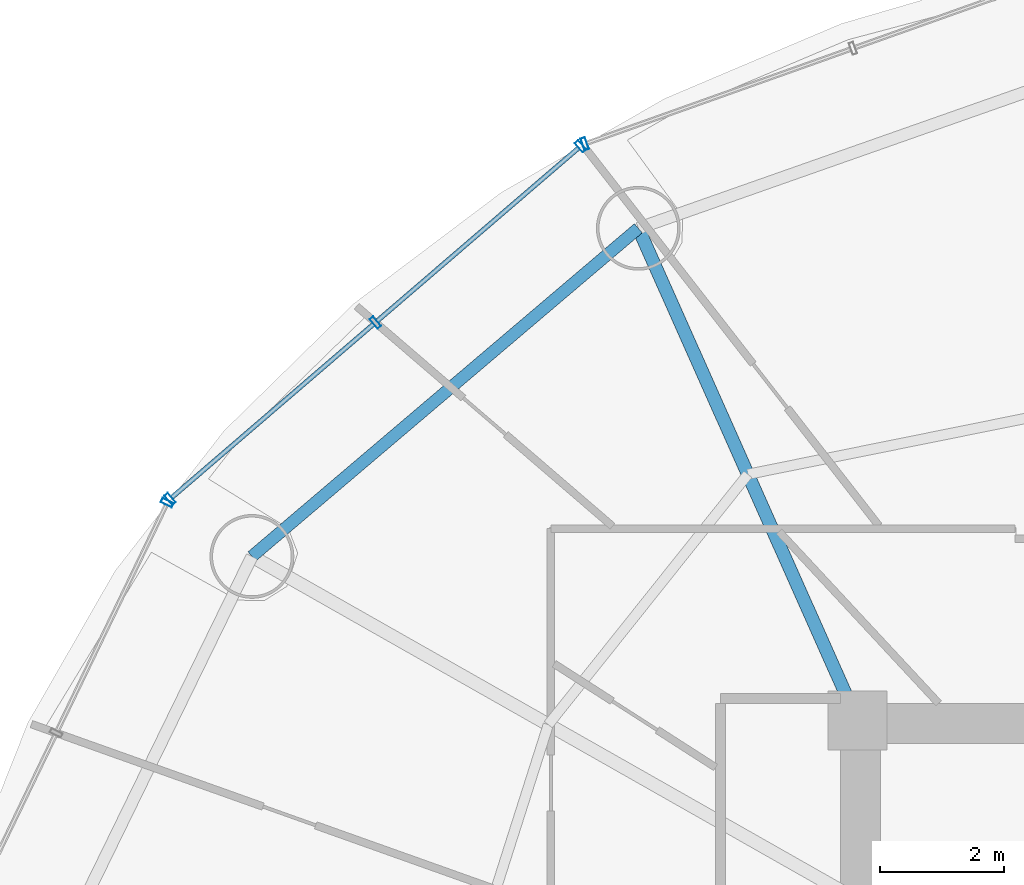
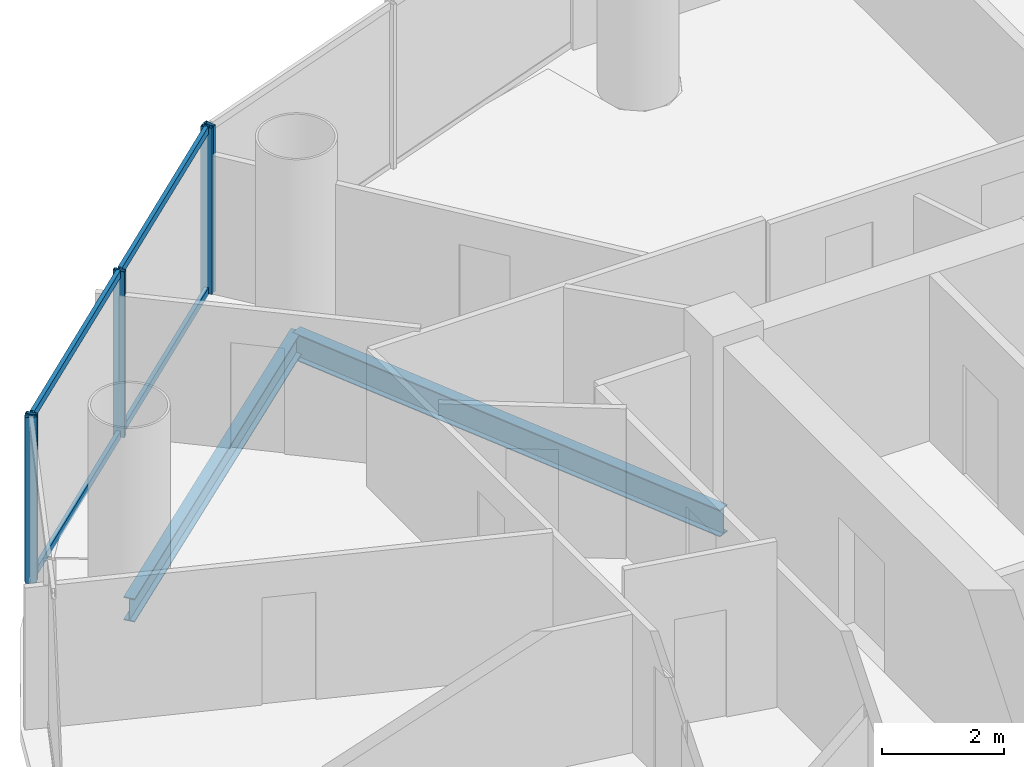
# One storey, part 14 of 27: 9 members, 2 beams, 3 elements without a shape of their own.
"""IFC4 building model written with IfcOpenShell, lengths in metres."""

import ifcopenshell
import ifcopenshell.guid

model = None  # the IFC model being written
_history = None  # IfcOwnerHistory: only IFC2X3 demands one
_inside = {}  # id of a spatial element -> (the spatial element, [elements in it])
_under = {}  # id of a project, library or spatial element -> (it, [spatial elements below it])
_declared = {}  # id of a project -> (the project, [libraries it declares])
_typed = {}  # id of a type object -> (the type object, [elements of that type])
_made_of = {}  # id of a material, layer set ... -> (it, [elements and type objects made of it])


def new_model(schema):
    """Start an empty IFC model of exactly this schema.

    Asked for "IFC4X3", IfcOpenShell would pick the latest addendum, in which some entities
    have other attributes; the version numbers below select the first issue.
    IFC2X3 requires an IfcOwnerHistory on every rooted entity: one is made here for all.
    """
    global model, _history
    if schema == "IFC4X3":
        model = ifcopenshell.file(schema_version=(4, 3, 0, 0))
    else:
        model = ifcopenshell.file(schema=schema)
    _inside.clear()
    _under.clear()
    _declared.clear()
    _typed.clear()
    _made_of.clear()
    _history = None
    if model.schema == "IFC2X3":
        org = make("IfcOrganization", Name="unknown")
        user = make(
            "IfcPersonAndOrganization",
            ThePerson=make("IfcPerson", FamilyName="unknown"),
            TheOrganization=org,
        )
        app = make(
            "IfcApplication",
            ApplicationDeveloper=org,
            Version="unknown",
            ApplicationFullName="unknown",
            ApplicationIdentifier="unknown",
        )
        _history = make(
            "IfcOwnerHistory",
            OwningUser=user,
            OwningApplication=app,
            ChangeAction="ADDED",
            CreationDate=0,
        )
    return model


def make(cls, **values):
    """One entity of the class cls with the attributes given. An attribute that is None is left unset."""
    return model.create_entity(
        cls, **{name: value for name, value in values.items() if value is not None}
    )


def rooted(cls, **values):
    """An entity with a GlobalId (a new one), such as an element, a storey or a relation."""
    return make(cls, GlobalId=ifcopenshell.guid.new(), OwnerHistory=_history, **values)


def si_unit(unit_type, name, prefix=None):
    """IfcSIUnit, for example si_unit("LENGTHUNIT", "METRE", prefix="MILLI")."""
    return make("IfcSIUnit", UnitType=unit_type, Prefix=prefix, Name=name)


def assignment(units):
    """IfcUnitAssignment: the units of a project."""
    return None if units is None else make("IfcUnitAssignment", Units=units)


def point(xyz):
    """IfcCartesianPoint."""
    return None if xyz is None else make("IfcCartesianPoint", Coordinates=xyz)


def direction(xyz):
    """IfcDirection."""
    return None if xyz is None else make("IfcDirection", DirectionRatios=xyz)


def frame(location, z_axis=None, x_axis=None):
    """IfcAxis2Placement3D, a coordinate frame: its origin and axes. An axis left out is left unset."""
    return make(
        "IfcAxis2Placement3D",
        Location=point(location),
        Axis=direction(z_axis),
        RefDirection=direction(x_axis),
    )


def frame_2d(location, x_axis=None):
    """IfcAxis2Placement2D, a coordinate frame in the plane: its origin and x axis."""
    return make(
        "IfcAxis2Placement2D", Location=point(location), RefDirection=direction(x_axis)
    )


def origin():
    """The frame at (0, 0, 0) with its axes left unset."""
    return frame((0.0, 0.0, 0.0))


def origin_2d():
    """The frame at (0, 0) in the plane with its x axis left unset."""
    return frame_2d((0.0, 0.0))


def place(relative_to, where):
    """IfcLocalPlacement: puts the frame where relative to a parent placement (None: the world)."""
    return make(
        "IfcLocalPlacement", PlacementRelTo=relative_to, RelativePlacement=where
    )


def context(
    kind, dimensions, precision=None, world=None, true_north=None, identifier=None
):
    """IfcGeometricRepresentationContext, for example the 3D "Model" context."""
    return make(
        "IfcGeometricRepresentationContext",
        ContextIdentifier=identifier,
        ContextType=kind,
        CoordinateSpaceDimension=dimensions,
        Precision=precision,
        WorldCoordinateSystem=world,
        TrueNorth=true_north,
    )


def subcontext(parent, identifier, kind, view, scale=None):
    """IfcGeometricRepresentationSubContext, for example "Body" below "Model"."""
    return make(
        "IfcGeometricRepresentationSubContext",
        ContextIdentifier=identifier,
        ContextType=kind,
        ParentContext=parent,
        TargetScale=scale,
        TargetView=view,
    )


def project(units=None, contexts=None):
    """IfcProject with its units and contexts."""
    return rooted(
        "IfcProject",
        Name="project",
        RepresentationContexts=contexts,
        UnitsInContext=assignment(units),
    )


def spatial(cls, under=None, at=None, **own):
    """A site, building, storey or space (cls), placed at a placement, below another one or the project."""
    s = rooted(cls, ObjectPlacement=at, **own)
    if under is not None:
        _under.setdefault(under.id(), (under, []))[1].append(s)
    return s


def profile(cls, at=None, kind="AREA", **sizes):
    """A parametric profile (cls). Its sizes go by their IFC names, for example OverallWidth=200.0."""
    return make(cls, ProfileType=kind, Position=at, **sizes)


def hollow_rectangle(**sizes):
    """IfcRectangleHollowProfileDef."""
    return profile("IfcRectangleHollowProfileDef", **sizes)


def i_section(**sizes):
    """IfcIShapeProfileDef."""
    return profile("IfcIShapeProfileDef", **sizes)


def extrude(swept, where, along, depth):
    """IfcExtrudedAreaSolid: the profile swept, set in the frame where, extruded along a direction by depth."""
    return make(
        "IfcExtrudedAreaSolid",
        SweptArea=swept,
        Position=where,
        ExtrudedDirection=direction(along),
        Depth=depth,
    )


def shape(context_of_items, identifier, shape_type, items):
    """IfcShapeRepresentation: the items that make up one representation, for example the "Body"."""
    return make(
        "IfcShapeRepresentation",
        ContextOfItems=context_of_items,
        RepresentationIdentifier=identifier,
        RepresentationType=shape_type,
        Items=items,
    )


def source(mapping_origin, context_of_items, identifier, shape_type, items):
    """IfcRepresentationMap: a shape defined once, which mapped items show again and again."""
    return make(
        "IfcRepresentationMap",
        MappingOrigin=mapping_origin,
        MappedRepresentation=shape(context_of_items, identifier, shape_type, items),
    )


def transform(
    local_origin,
    x_axis=None,
    y_axis=None,
    z_axis=None,
    scale=None,
    scale2=None,
    scale3=None,
    uniform=True,
):
    """IfcCartesianTransformationOperator3D, or its non-uniform kind. x_axis, y_axis, z_axis: its Axis1, 2, 3."""
    if uniform:
        return make(
            "IfcCartesianTransformationOperator3D",
            Axis1=direction(x_axis),
            Axis2=direction(y_axis),
            LocalOrigin=point(local_origin),
            Scale=scale,
            Axis3=direction(z_axis),
        )
    return make(
        "IfcCartesianTransformationOperator3DnonUniform",
        Axis1=direction(x_axis),
        Axis2=direction(y_axis),
        LocalOrigin=point(local_origin),
        Scale=scale,
        Axis3=direction(z_axis),
        Scale2=scale2,
        Scale3=scale3,
    )


def mapped(mapping_source, mapping_target):
    """IfcMappedItem: shows the shape of a source again, moved by a transform."""
    return make(
        "IfcMappedItem", MappingSource=mapping_source, MappingTarget=mapping_target
    )


def material(Name=None, Category=None):
    """IfcMaterial."""
    return make("IfcMaterial", Name=Name, Category=Category)


def material_profile(
    of_material, cross_section, Name=None, Category=None, Priority=None
):
    """IfcMaterialProfile: a cross section and its material."""
    return make(
        "IfcMaterialProfile",
        Name=Name,
        Material=of_material,
        Profile=cross_section,
        Priority=Priority,
        Category=Category,
    )


def profile_set(profiles, Name=None, composite=None):
    """IfcMaterialProfileSet."""
    return make(
        "IfcMaterialProfileSet",
        Name=Name,
        MaterialProfiles=profiles,
        CompositeProfile=composite,
    )


def made_of(thing, what):
    """Note that an element or type object is made of a material, layer set ...; save() writes the relation."""
    if what is not None:
        _made_of.setdefault(what.id(), (what, []))[1].append(thing)
    return thing


def type_object(cls, material=None, **own):
    """A type object (cls), such as IfcWallType, which elements share."""
    return made_of(rooted(cls, **own), material)


def element(
    cls,
    number,
    at=None,
    inside=None,
    cuts=None,
    type_object=None,
    material=None,
    context=None,
    identifier="Body",
    shape_type=None,
    held_by="IfcProductDefinitionShape",
    body=None,
    shapes=None,
    **own,
):
    """One element of the class cls, such as IfcWall. Its Tag is "e" and its number.

    at: its placement. inside: the storey or other place that contains it. cuts: it is an
    opening in that element (IfcRelVoidsElement). A single representation is given by context,
    identifier, shape_type and body (its items); several are given by shapes. held_by: the class
    of the entity that holds the representations. save() writes the other relations.
    """
    e = rooted(cls, Tag="e%d" % number, ObjectPlacement=at, **own)
    if body is not None:
        shapes = [shape(context, identifier, shape_type, body)]
    if shapes is not None:
        e.Representation = make(held_by, Representations=shapes)
    if inside is not None:
        _inside.setdefault(inside.id(), (inside, []))[1].append(e)
    if cuts is not None:
        rooted(
            "IfcRelVoidsElement", RelatingBuildingElement=cuts, RelatedOpeningElement=e
        )
    if type_object is not None:
        _typed.setdefault(type_object.id(), (type_object, []))[1].append(e)
    return made_of(e, material)


def aggregate(whole, parts):
    """IfcRelAggregates: a whole, such as a stair, and the parts it consists of."""
    return rooted("IfcRelAggregates", RelatingObject=whole, RelatedObjects=parts)


def save(model, path):
    """Write the relations noted so far, then the file.

    IfcRelAggregates (storeys below a building ...), IfcRelContainedInSpatialStructure (elements
    in a storey), IfcRelDefinesByType, IfcRelAssociatesMaterial and IfcRelDeclares: one each for
    every whole, place, type object, material and project.
    """
    for whole, parts in _under.values():
        aggregate(whole, parts)
    for where, things in _inside.values():
        rooted(
            "IfcRelContainedInSpatialStructure",
            RelatedElements=things,
            RelatingStructure=where,
        )
    for kind, things in _typed.values():
        rooted("IfcRelDefinesByType", RelatedObjects=things, RelatingType=kind)
    for what, things in _made_of.values():
        rooted("IfcRelAssociatesMaterial", RelatedObjects=things, RelatingMaterial=what)
    for by, libraries in _declared.values():
        rooted("IfcRelDeclares", RelatingContext=by, RelatedDefinitions=libraries)
    model.write(path)


model = new_model("IFC4")

# Units and contexts
model_context = context("Model", 3, precision=1e-05, world=origin(), true_north=direction((-0.2419218956, 0.970295726276)))
body_context = subcontext(model_context, "Body", "Model", "MODEL_VIEW")
ifc_project = project(units=[si_unit("LENGTHUNIT", "METRE"), si_unit("AREAUNIT", "SQUARE_METRE"), si_unit("VOLUMEUNIT", "CUBIC_METRE"), si_unit("PLANEANGLEUNIT", "RADIAN"), si_unit("MASSUNIT", "GRAM", prefix="KILO")], contexts=[model_context])

# Site, building, storey
site_placement = place(None, origin())
site = spatial("IfcSite", under=ifc_project, at=site_placement, CompositionType="ELEMENT")
building_placement = place(site_placement, origin())
building = spatial("IfcBuilding", under=site, at=building_placement, Name="Cobrevalo Terracotta Tower", CompositionType="ELEMENT")
storey_placement = place(building_placement, frame((0.0, 0.0, 149.800048828125)))
storey = spatial("IfcBuildingStorey", under=building, at=storey_placement, Name="L39", CompositionType="ELEMENT", Elevation=149.800048828125)

# Beams
ifc_material_1 = material(Name="Steel S355", Category="steel")
ifc_material_profile_1 = material_profile(ifc_material_1, i_section(OverallWidth=0.2109375, OverallDepth=0.5390625, WebThickness=0.01171875, FlangeThickness=0.018798828125, at=origin_2d()), Name="W 530x109")
ifc_profile_set_1 = profile_set([ifc_material_profile_1], Name="Steel S355")
beam_type_1 = type_object("IfcBeamType", Name="Structural Beam W 530x109 (Steel S355)", PredefinedType="BEAM", material=ifc_profile_set_1)
beam_1_placement = place(storey_placement, frame((25.471923828125, 42.72265625, -0.53955078125), z_axis=(0.406804395691, -0.913515289224, 0.0), x_axis=(0.913515289224, 0.406804395691, 0.0)))
element("IfcBeam", 1, at=beam_1_placement, inside=storey, type_object=beam_type_1, Name="L39 radial floor girder 06", PredefinedType="BEAM", context=body_context, shape_type="SweptSolid", body=[
    extrude(i_section(OverallWidth=0.2109375, OverallDepth=0.5390625, WebThickness=0.01171875, FlangeThickness=0.018798828125, at=origin_2d()), origin(), (0.0, 0.0, 1.0), 8.672607421875),
])
ifc_material_profile_2 = material_profile(ifc_material_1, i_section(OverallWidth=0.194091796875, OverallDepth=0.468994140625, WebThickness=0.011474609375, FlangeThickness=0.0205078125, at=origin_2d()), Name="W 460x106")
ifc_profile_set_2 = profile_set([ifc_material_profile_2], Name="Steel S355")
beam_type_2 = type_object("IfcBeamType", Name="Structural Spandrel W 460x106 (Steel S355)", PredefinedType="SPANDREL", material=ifc_profile_set_2)
beam_2_placement = place(storey_placement, frame((25.471923828125, 42.72265625, -0.504638671875), z_axis=(-0.762240337798, -0.647294112003, 0.0), x_axis=(0.647294112003, -0.762240337798, 0.0)))
element("IfcBeam", 2, at=beam_2_placement, inside=storey, type_object=beam_type_2, Name="L39 perimeter ring spandrel 06", PredefinedType="SPANDREL", context=body_context, shape_type="SweptSolid", body=[
    extrude(i_section(OverallWidth=0.194091796875, OverallDepth=0.468994140625, WebThickness=0.011474609375, FlangeThickness=0.0205078125, at=origin_2d()), origin(), (0.0, 0.0, 1.0), 8.162353515625),
])

# Curtain wall, members
ifc_material_2 = material(Name="Anodized aluminium", Category="aluminium")
curtain_wall_type = type_object("IfcCurtainWallType", Name="Mid-tower high-wind unitised curtain wall CW-U2", PredefinedType="NOTDEFINED", material=ifc_material_2)
curtain_wall_1_placement = place(storey_placement, origin())
curtain_wall_1 = element("IfcCurtainWall", 3, at=curtain_wall_1_placement, inside=storey, type_object=curtain_wall_type, Name="L39 curtain wall CW-L39-S06", PredefinedType="NOTDEFINED")
ifc_material_profile_3 = material_profile(ifc_material_2, hollow_rectangle(XDim=0.074951171875, YDim=0.14990234375, WallThickness=0.00439453125, at=origin_2d()), Name="CWT 75x150")
ifc_profile_set_3 = profile_set([ifc_material_profile_3], Name="Anodized aluminium")
member_type_1 = type_object("IfcMemberType", Name="Tower unitised aluminium transom 75x150", PredefinedType="USERDEFINED", material=ifc_profile_set_3)
shared_shape_1 = source(origin(), body_context, "Body", "SweptSolid", [
    extrude(hollow_rectangle(XDim=0.074951171875, YDim=0.14990234375, WallThickness=0.00439453125, at=origin_2d()), origin(), (0.0, 0.0, 1.0), 4.276123046875),
])
member_1_placement = place(storey_placement, frame((24.51123046875, 44.017578125, 0.050048828125), z_axis=(-0.758417719247, -0.651768795764, 0.0), x_axis=(0.651768795764, -0.758417719247, 0.0)))
member_1 = element("IfcMember", 4, at=member_1_placement, type_object=member_type_1, Name="CW-L39-S06 transom B01-T1", ObjectType="TRANSOM", PredefinedType="USERDEFINED", context=body_context, shape_type="MappedRepresentation", body=[
    mapped(shared_shape_1, transform((0.0, 0.0, 0.0), scale=1.0)),
])
member_2_placement = place(storey_placement, frame((24.51123046875, 44.017578125, 3.280029296875), z_axis=(-0.758417719247, -0.651768795764, 0.0), x_axis=(0.651768795764, -0.758417719247, 0.0)))
member_2 = element("IfcMember", 5, at=member_2_placement, type_object=member_type_1, Name="CW-L39-S06 transom B01-T2", ObjectType="TRANSOM", PredefinedType="USERDEFINED", context=body_context, shape_type="MappedRepresentation", body=[
    mapped(shared_shape_1, transform((0.0, 0.0, 0.0), scale=1.0)),
])
member_3_placement = place(storey_placement, frame((21.207275390625, 41.17822265625, 0.050048828125), z_axis=(-0.758445941187, -0.65173595443, 0.0), x_axis=(0.65173595443, -0.758445941187, 0.0)))
member_3 = element("IfcMember", 6, at=member_3_placement, type_object=member_type_1, Name="CW-L39-S06 transom B02-T1", ObjectType="TRANSOM", PredefinedType="USERDEFINED", context=body_context, shape_type="MappedRepresentation", body=[
    mapped(shared_shape_1, transform((0.0, 0.0, 0.0), scale=1.0)),
])
member_4_placement = place(storey_placement, frame((21.207275390625, 41.17822265625, 3.280029296875), z_axis=(-0.758445941187, -0.65173595443, 0.0), x_axis=(0.65173595443, -0.758445941187, 0.0)))
member_4 = element("IfcMember", 7, at=member_4_placement, type_object=member_type_1, Name="CW-L39-S06 transom B02-T2", ObjectType="TRANSOM", PredefinedType="USERDEFINED", context=body_context, shape_type="MappedRepresentation", body=[
    mapped(shared_shape_1, transform((0.0, 0.0, 0.0), scale=1.0)),
])

# Curtain wall, member
curtain_wall_2_placement = place(storey_placement, origin())
curtain_wall_2 = element("IfcCurtainWall", 8, at=curtain_wall_2_placement, inside=storey, type_object=curtain_wall_type, Name="L39 curtain wall CW-L39-S05", PredefinedType="NOTDEFINED")
ifc_material_profile_4 = material_profile(ifc_material_2, hollow_rectangle(XDim=0.074951171875, YDim=0.199951171875, WallThickness=0.0048828125, at=origin_2d()), Name="CWM 75x200")
ifc_profile_set_4 = profile_set([ifc_material_profile_4], Name="Anodized aluminium")
member_type_2 = type_object("IfcMemberType", Name="Lower/mid tower unitised mullion 75x200", PredefinedType="MULLION", material=ifc_profile_set_4)
shared_shape_2 = source(origin(), body_context, "Body", "SweptSolid", [
    extrude(hollow_rectangle(XDim=0.074951171875, YDim=0.199951171875, WallThickness=0.0048828125, at=origin_2d()), origin(), (0.0, 0.0, 1.0), 3.329833984375),
])
member_5_placement = place(storey_placement, frame((24.609619140625, 44.0830078125, 0.0), z_axis=(0.0, 0.0, 1.0), x_axis=(-0.942098428897, -0.335336473217, 0.0)))
member_5 = element("IfcMember", 9, at=member_5_placement, type_object=member_type_2, Name="CW-L39-S05 vertical mullion 03", PredefinedType="MULLION", context=body_context, shape_type="MappedRepresentation", body=[
    mapped(shared_shape_2, transform((0.0, 0.0, 0.0), scale=1.0)),
])
aggregate(curtain_wall_2, [member_5])

# Member
member_6_placement = place(storey_placement, frame((24.54150390625, 44.04345703125, 0.0), z_axis=(0.0, 0.0, 1.0), x_axis=(-0.758441546142, -0.65174106905, 0.0)))
member_6 = element("IfcMember", 10, at=member_6_placement, type_object=member_type_2, Name="CW-L39-S06 vertical mullion 01", PredefinedType="MULLION", context=body_context, shape_type="MappedRepresentation", body=[
    mapped(shared_shape_2, transform((0.0, 0.0, 0.0), scale=1.0)),
])

member_7_placement = place(storey_placement, frame((21.237548828125, 41.204345703125, 0.0), z_axis=(0.0, 0.0, 1.0), x_axis=(-0.758441546142, -0.65174106905, 0.0)))
member_7 = element("IfcMember", 11, at=member_7_placement, type_object=member_type_2, Name="CW-L39-S06 vertical mullion 02", PredefinedType="MULLION", context=body_context, shape_type="MappedRepresentation", body=[
    mapped(shared_shape_2, transform((0.0, 0.0, 0.0), scale=1.0)),
])

member_8_placement = place(storey_placement, frame((17.933837890625, 38.365234375, 0.0), z_axis=(0.0, 0.0, 1.0), x_axis=(-0.758441546142, -0.65174106905, 0.0)))
member_8 = element("IfcMember", 12, at=member_8_placement, type_object=member_type_2, Name="CW-L39-S06 vertical mullion 03", PredefinedType="MULLION", context=body_context, shape_type="MappedRepresentation", body=[
    mapped(shared_shape_2, transform((0.0, 0.0, 0.0), scale=1.0)),
])

aggregate(curtain_wall_1, [member_6, member_7, member_8, member_1, member_2, member_3, member_4])

# Curtain wall, member
curtain_wall_3_placement = place(storey_placement, origin())
curtain_wall_3 = element("IfcCurtainWall", 13, at=curtain_wall_3_placement, inside=storey, type_object=curtain_wall_type, Name="L39 curtain wall CW-L39-S07", PredefinedType="NOTDEFINED")
member_9_placement = place(storey_placement, frame((17.885986328125, 38.30322265625, 0.0), z_axis=(0.0, 0.0, 1.0), x_axis=(-0.434209440271, -0.900811945957, 0.0)))
member_9 = element("IfcMember", 14, at=member_9_placement, type_object=member_type_2, Name="CW-L39-S07 vertical mullion 01", PredefinedType="MULLION", context=body_context, shape_type="MappedRepresentation", body=[
    mapped(shared_shape_2, transform((0.0, 0.0, 0.0), scale=1.0)),
])
aggregate(curtain_wall_3, [member_9])

save(model, "model.ifc")
